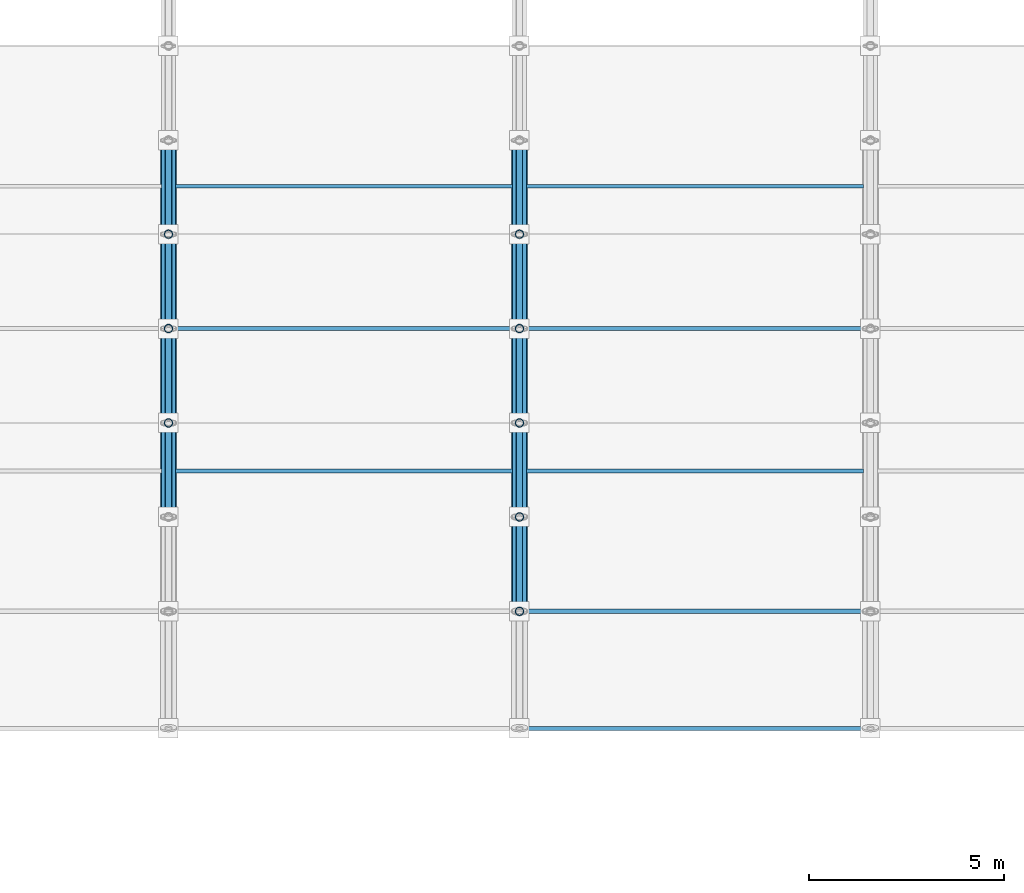
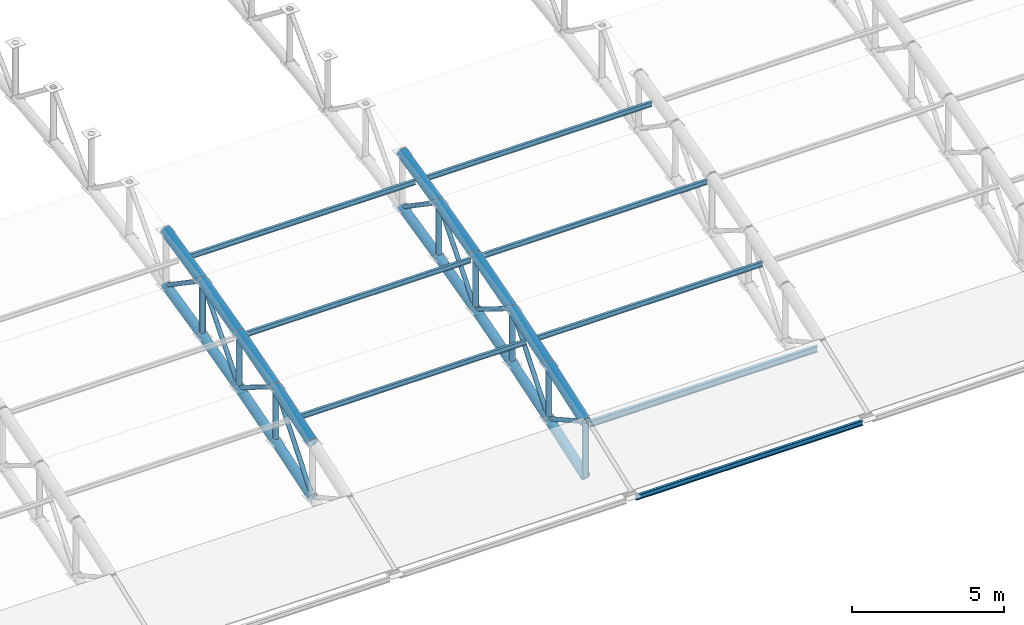
# One storey, part 16 of 195: 43 members.
"""IFC4 building model written with IfcOpenShell, lengths in metres."""

import ifcopenshell
import ifcopenshell.guid

model = None  # the IFC model being written
_history = None  # IfcOwnerHistory: only IFC2X3 demands one
_inside = {}  # id of a spatial element -> (the spatial element, [elements in it])
_under = {}  # id of a project, library or spatial element -> (it, [spatial elements below it])
_declared = {}  # id of a project -> (the project, [libraries it declares])
_typed = {}  # id of a type object -> (the type object, [elements of that type])
_made_of = {}  # id of a material, layer set ... -> (it, [elements and type objects made of it])


def new_model(schema):
    """Start an empty IFC model of exactly this schema.

    Asked for "IFC4X3", IfcOpenShell would pick the latest addendum, in which some entities
    have other attributes; the version numbers below select the first issue.
    IFC2X3 requires an IfcOwnerHistory on every rooted entity: one is made here for all.
    """
    global model, _history
    if schema == "IFC4X3":
        model = ifcopenshell.file(schema_version=(4, 3, 0, 0))
    else:
        model = ifcopenshell.file(schema=schema)
    _inside.clear()
    _under.clear()
    _declared.clear()
    _typed.clear()
    _made_of.clear()
    _history = None
    if model.schema == "IFC2X3":
        org = make("IfcOrganization", Name="unknown")
        user = make(
            "IfcPersonAndOrganization",
            ThePerson=make("IfcPerson", FamilyName="unknown"),
            TheOrganization=org,
        )
        app = make(
            "IfcApplication",
            ApplicationDeveloper=org,
            Version="unknown",
            ApplicationFullName="unknown",
            ApplicationIdentifier="unknown",
        )
        _history = make(
            "IfcOwnerHistory",
            OwningUser=user,
            OwningApplication=app,
            ChangeAction="ADDED",
            CreationDate=0,
        )
    return model


def make(cls, **values):
    """One entity of the class cls with the attributes given. An attribute that is None is left unset."""
    return model.create_entity(
        cls, **{name: value for name, value in values.items() if value is not None}
    )


def rooted(cls, **values):
    """An entity with a GlobalId (a new one), such as an element, a storey or a relation."""
    return make(cls, GlobalId=ifcopenshell.guid.new(), OwnerHistory=_history, **values)


def si_unit(unit_type, name, prefix=None):
    """IfcSIUnit, for example si_unit("LENGTHUNIT", "METRE", prefix="MILLI")."""
    return make("IfcSIUnit", UnitType=unit_type, Prefix=prefix, Name=name)


def assignment(units):
    """IfcUnitAssignment: the units of a project."""
    return None if units is None else make("IfcUnitAssignment", Units=units)


def point(xyz):
    """IfcCartesianPoint."""
    return None if xyz is None else make("IfcCartesianPoint", Coordinates=xyz)


def direction(xyz):
    """IfcDirection."""
    return None if xyz is None else make("IfcDirection", DirectionRatios=xyz)


def frame(location, z_axis=None, x_axis=None):
    """IfcAxis2Placement3D, a coordinate frame: its origin and axes. An axis left out is left unset."""
    return make(
        "IfcAxis2Placement3D",
        Location=point(location),
        Axis=direction(z_axis),
        RefDirection=direction(x_axis),
    )


def frame_2d(location, x_axis=None):
    """IfcAxis2Placement2D, a coordinate frame in the plane: its origin and x axis."""
    return make(
        "IfcAxis2Placement2D", Location=point(location), RefDirection=direction(x_axis)
    )


def origin():
    """The frame at (0, 0, 0) with its axes left unset."""
    return frame((0.0, 0.0, 0.0))


def origin_2d():
    """The frame at (0, 0) in the plane with its x axis left unset."""
    return frame_2d((0.0, 0.0))


def place(relative_to, where):
    """IfcLocalPlacement: puts the frame where relative to a parent placement (None: the world)."""
    return make(
        "IfcLocalPlacement", PlacementRelTo=relative_to, RelativePlacement=where
    )


def context(
    kind, dimensions, precision=None, world=None, true_north=None, identifier=None
):
    """IfcGeometricRepresentationContext, for example the 3D "Model" context."""
    return make(
        "IfcGeometricRepresentationContext",
        ContextIdentifier=identifier,
        ContextType=kind,
        CoordinateSpaceDimension=dimensions,
        Precision=precision,
        WorldCoordinateSystem=world,
        TrueNorth=true_north,
    )


def subcontext(parent, identifier, kind, view, scale=None):
    """IfcGeometricRepresentationSubContext, for example "Body" below "Model"."""
    return make(
        "IfcGeometricRepresentationSubContext",
        ContextIdentifier=identifier,
        ContextType=kind,
        ParentContext=parent,
        TargetScale=scale,
        TargetView=view,
    )


def project(units=None, contexts=None):
    """IfcProject with its units and contexts."""
    return rooted(
        "IfcProject",
        Name="project",
        RepresentationContexts=contexts,
        UnitsInContext=assignment(units),
    )


def spatial(cls, under=None, at=None, **own):
    """A site, building, storey or space (cls), placed at a placement, below another one or the project."""
    s = rooted(cls, ObjectPlacement=at, **own)
    if under is not None:
        _under.setdefault(under.id(), (under, []))[1].append(s)
    return s


def profile(cls, at=None, kind="AREA", **sizes):
    """A parametric profile (cls). Its sizes go by their IFC names, for example OverallWidth=200.0."""
    return make(cls, ProfileType=kind, Position=at, **sizes)


def hollow_circle(**sizes):
    """IfcCircleHollowProfileDef."""
    return profile("IfcCircleHollowProfileDef", **sizes)


def i_section(**sizes):
    """IfcIShapeProfileDef."""
    return profile("IfcIShapeProfileDef", **sizes)


def extrude(swept, where, along, depth):
    """IfcExtrudedAreaSolid: the profile swept, set in the frame where, extruded along a direction by depth."""
    return make(
        "IfcExtrudedAreaSolid",
        SweptArea=swept,
        Position=where,
        ExtrudedDirection=direction(along),
        Depth=depth,
    )


def shape(context_of_items, identifier, shape_type, items):
    """IfcShapeRepresentation: the items that make up one representation, for example the "Body"."""
    return make(
        "IfcShapeRepresentation",
        ContextOfItems=context_of_items,
        RepresentationIdentifier=identifier,
        RepresentationType=shape_type,
        Items=items,
    )


def material(Name=None, Category=None):
    """IfcMaterial."""
    return make("IfcMaterial", Name=Name, Category=Category)


def material_profile(
    of_material, cross_section, Name=None, Category=None, Priority=None
):
    """IfcMaterialProfile: a cross section and its material."""
    return make(
        "IfcMaterialProfile",
        Name=Name,
        Material=of_material,
        Profile=cross_section,
        Priority=Priority,
        Category=Category,
    )


def profile_set(profiles, Name=None, composite=None):
    """IfcMaterialProfileSet."""
    return make(
        "IfcMaterialProfileSet",
        Name=Name,
        MaterialProfiles=profiles,
        CompositeProfile=composite,
    )


def made_of(thing, what):
    """Note that an element or type object is made of a material, layer set ...; save() writes the relation."""
    if what is not None:
        _made_of.setdefault(what.id(), (what, []))[1].append(thing)
    return thing


def type_object(cls, material=None, **own):
    """A type object (cls), such as IfcWallType, which elements share."""
    return made_of(rooted(cls, **own), material)


def element(
    cls,
    number,
    at=None,
    inside=None,
    cuts=None,
    type_object=None,
    material=None,
    context=None,
    identifier="Body",
    shape_type=None,
    held_by="IfcProductDefinitionShape",
    body=None,
    shapes=None,
    **own,
):
    """One element of the class cls, such as IfcWall. Its Tag is "e" and its number.

    at: its placement. inside: the storey or other place that contains it. cuts: it is an
    opening in that element (IfcRelVoidsElement). A single representation is given by context,
    identifier, shape_type and body (its items); several are given by shapes. held_by: the class
    of the entity that holds the representations. save() writes the other relations.
    """
    e = rooted(cls, Tag="e%d" % number, ObjectPlacement=at, **own)
    if body is not None:
        shapes = [shape(context, identifier, shape_type, body)]
    if shapes is not None:
        e.Representation = make(held_by, Representations=shapes)
    if inside is not None:
        _inside.setdefault(inside.id(), (inside, []))[1].append(e)
    if cuts is not None:
        rooted(
            "IfcRelVoidsElement", RelatingBuildingElement=cuts, RelatedOpeningElement=e
        )
    if type_object is not None:
        _typed.setdefault(type_object.id(), (type_object, []))[1].append(e)
    return made_of(e, material)


def aggregate(whole, parts):
    """IfcRelAggregates: a whole, such as a stair, and the parts it consists of."""
    return rooted("IfcRelAggregates", RelatingObject=whole, RelatedObjects=parts)


def save(model, path):
    """Write the relations noted so far, then the file.

    IfcRelAggregates (storeys below a building ...), IfcRelContainedInSpatialStructure (elements
    in a storey), IfcRelDefinesByType, IfcRelAssociatesMaterial and IfcRelDeclares: one each for
    every whole, place, type object, material and project.
    """
    for whole, parts in _under.values():
        aggregate(whole, parts)
    for where, things in _inside.values():
        rooted(
            "IfcRelContainedInSpatialStructure",
            RelatedElements=things,
            RelatingStructure=where,
        )
    for kind, things in _typed.values():
        rooted("IfcRelDefinesByType", RelatedObjects=things, RelatingType=kind)
    for what, things in _made_of.values():
        rooted("IfcRelAssociatesMaterial", RelatedObjects=things, RelatingMaterial=what)
    for by, libraries in _declared.values():
        rooted("IfcRelDeclares", RelatingContext=by, RelatedDefinitions=libraries)
    model.write(path)


model = new_model("IFC4")

# Units and contexts
model_context = context("Model", 3, precision=1e-05, world=origin(), true_north=direction((0.0, 1.0)))
body_context = subcontext(model_context, "Body", "Model", "MODEL_VIEW")
ifc_project = project(units=[si_unit("LENGTHUNIT", "METRE"), si_unit("AREAUNIT", "SQUARE_METRE"), si_unit("VOLUMEUNIT", "CUBIC_METRE"), si_unit("PLANEANGLEUNIT", "RADIAN"), si_unit("MASSUNIT", "GRAM", prefix="KILO")], contexts=[model_context])

# Site, building, storey
site_placement = place(None, origin())
site = spatial("IfcSite", under=ifc_project, at=site_placement, CompositionType="ELEMENT")
building_placement = place(site_placement, origin())
building = spatial("IfcBuilding", under=site, at=building_placement, Name="Marlcrest Central Station", CompositionType="ELEMENT")
storey_placement = place(building_placement, frame((0.0, 0.0, 9.800048828125)))
storey = spatial("IfcBuildingStorey", under=building, at=storey_placement, Name="L02", CompositionType="ELEMENT", Elevation=9.800048828125)

# Members
ifc_material = material(Name="Steel S355", Category="steel")
ifc_material_profile_1 = material_profile(ifc_material, hollow_circle(Radius=0.203125, WallThickness=0.02001953125, at=origin_2d()), Name="CHS 406.4x20")
ifc_profile_set_1 = profile_set([ifc_material_profile_1], Name="Steel S355")
member_type_1 = type_object("IfcMemberType", Name="AC-01", PredefinedType="CHORD", material=ifc_profile_set_1)
member_1_placement = place(storey_placement, frame((18.0, 38.919921875, 2.449462890625), z_axis=(0.0, 0.952116828449, 0.305734435391), x_axis=(-1.0, 0.0, 0.0)))
element("IfcMember", 1, at=member_1_placement, inside=storey, type_object=member_type_1, Name="mem-AC-01-L02-00299", PredefinedType="CHORD", context=body_context, shape_type="SweptSolid", body=[
    extrude(hollow_circle(Radius=0.203125, WallThickness=0.02001953125, at=origin_2d()), origin(), (0.0, 0.0, 1.0), 2.53125),
])
member_2_placement = place(storey_placement, frame((18.0, 41.330078125, 3.223388671875), z_axis=(0.0, 0.960130083362, 0.27955361386), x_axis=(-1.0, 0.0, 0.0)))
element("IfcMember", 2, at=member_2_placement, inside=storey, type_object=member_type_1, Name="mem-AC-01-L02-00303", PredefinedType="CHORD", context=body_context, shape_type="SweptSolid", body=[
    extrude(hollow_circle(Radius=0.203125, WallThickness=0.02001953125, at=origin_2d()), origin(), (0.0, 0.0, 1.0), 2.5205078125),
])
member_3_placement = place(storey_placement, frame((18.0, 43.75, 3.927978515625), z_axis=(0.0, 0.967539481681, 0.252719906989), x_axis=(-1.0, 0.0, 0.0)))
element("IfcMember", 3, at=member_3_placement, inside=storey, type_object=member_type_1, Name="mem-AC-01-L02-00307", PredefinedType="CHORD", context=body_context, shape_type="SweptSolid", body=[
    extrude(hollow_circle(Radius=0.203125, WallThickness=0.02001953125, at=origin_2d()), origin(), (0.0, 0.0, 1.0), 2.501220703125),
])
member_4_placement = place(storey_placement, frame((18.0, 46.169921875, 4.56005859375), z_axis=(0.0, 0.974329612642, 0.225126200004), x_axis=(-1.0, 0.0, 0.0)))
element("IfcMember", 4, at=member_4_placement, inside=storey, type_object=member_type_1, Name="mem-AC-01-L02-00311", PredefinedType="CHORD", context=body_context, shape_type="SweptSolid", body=[
    extrude(hollow_circle(Radius=0.203125, WallThickness=0.02001953125, at=origin_2d()), origin(), (0.0, 0.0, 1.0), 2.4736328125),
])
member_5_placement = place(storey_placement, frame((27.0, 36.5, 1.599853515625), z_axis=(0.0, 0.94353735649, 0.331266142109), x_axis=(-1.0, 0.0, 0.0)))
element("IfcMember", 5, at=member_5_placement, inside=storey, type_object=member_type_1, Name="mem-AC-01-L02-00411", PredefinedType="CHORD", context=body_context, shape_type="SweptSolid", body=[
    extrude(hollow_circle(Radius=0.203125, WallThickness=0.02001953125, at=origin_2d()), origin(), (0.0, 0.0, 1.0), 2.564697265625),
])
member_6_placement = place(storey_placement, frame((27.0, 38.919921875, 2.449462890625), z_axis=(0.0, 0.952116828449, 0.305734435391), x_axis=(-1.0, 0.0, 0.0)))
element("IfcMember", 6, at=member_6_placement, inside=storey, type_object=member_type_1, Name="mem-AC-01-L02-00415", PredefinedType="CHORD", context=body_context, shape_type="SweptSolid", body=[
    extrude(hollow_circle(Radius=0.203125, WallThickness=0.02001953125, at=origin_2d()), origin(), (0.0, 0.0, 1.0), 2.53125),
])
member_7_placement = place(storey_placement, frame((27.0, 41.330078125, 3.223388671875), z_axis=(0.0, 0.960130083362, 0.27955361386), x_axis=(-1.0, 0.0, 0.0)))
element("IfcMember", 7, at=member_7_placement, inside=storey, type_object=member_type_1, Name="mem-AC-01-L02-00419", PredefinedType="CHORD", context=body_context, shape_type="SweptSolid", body=[
    extrude(hollow_circle(Radius=0.203125, WallThickness=0.02001953125, at=origin_2d()), origin(), (0.0, 0.0, 1.0), 2.5205078125),
])
member_8_placement = place(storey_placement, frame((27.0, 43.75, 3.927978515625), z_axis=(0.0, 0.967539481681, 0.252719906989), x_axis=(-1.0, 0.0, 0.0)))
element("IfcMember", 8, at=member_8_placement, inside=storey, type_object=member_type_1, Name="mem-AC-01-L02-00423", PredefinedType="CHORD", context=body_context, shape_type="SweptSolid", body=[
    extrude(hollow_circle(Radius=0.203125, WallThickness=0.02001953125, at=origin_2d()), origin(), (0.0, 0.0, 1.0), 2.501220703125),
])
member_9_placement = place(storey_placement, frame((27.0, 46.169921875, 4.56005859375), z_axis=(0.0, 0.974329612642, 0.225126200004), x_axis=(-1.0, 0.0, 0.0)))
element("IfcMember", 9, at=member_9_placement, inside=storey, type_object=member_type_1, Name="mem-AC-01-L02-00427", PredefinedType="CHORD", context=body_context, shape_type="SweptSolid", body=[
    extrude(hollow_circle(Radius=0.203125, WallThickness=0.02001953125, at=origin_2d()), origin(), (0.0, 0.0, 1.0), 2.4736328125),
])
ifc_material_profile_2 = material_profile(ifc_material, hollow_circle(Radius=0.177734375, WallThickness=0.01611328125, at=origin_2d()), Name="CHS 355.6x16")
ifc_profile_set_2 = profile_set([ifc_material_profile_2], Name="Steel S355")
member_type_2 = type_object("IfcMemberType", Name="AC-02", PredefinedType="CHORD", material=ifc_profile_set_2)
member_10_placement = place(storey_placement, frame((18.0, 38.919921875, 0.24951171875), z_axis=(0.0, 0.952116828449, 0.305734435391), x_axis=(-1.0, 0.0, 0.0)))
element("IfcMember", 10, at=member_10_placement, inside=storey, type_object=member_type_2, Name="mem-AC-02-L02-00300", PredefinedType="CHORD", context=body_context, shape_type="SweptSolid", body=[
    extrude(hollow_circle(Radius=0.177734375, WallThickness=0.01611328125, at=origin_2d()), origin(), (0.0, 0.0, 1.0), 2.53125),
])
member_11_placement = place(storey_placement, frame((18.0, 41.330078125, 1.0234375), z_axis=(0.0, 0.960130083362, 0.27955361386), x_axis=(-1.0, 0.0, 0.0)))
element("IfcMember", 11, at=member_11_placement, inside=storey, type_object=member_type_2, Name="mem-AC-02-L02-00304", PredefinedType="CHORD", context=body_context, shape_type="SweptSolid", body=[
    extrude(hollow_circle(Radius=0.177734375, WallThickness=0.01611328125, at=origin_2d()), origin(), (0.0, 0.0, 1.0), 2.5205078125),
])
member_12_placement = place(storey_placement, frame((18.0, 43.75, 1.72802734375), z_axis=(0.0, 0.967563345928, 0.252628524946), x_axis=(-1.0, 0.0, 0.0)))
element("IfcMember", 12, at=member_12_placement, inside=storey, type_object=member_type_2, Name="mem-AC-02-L02-00308", PredefinedType="CHORD", context=body_context, shape_type="SweptSolid", body=[
    extrude(hollow_circle(Radius=0.177734375, WallThickness=0.01611328125, at=origin_2d()), origin(), (0.0, 0.0, 1.0), 2.5009765625),
])
member_13_placement = place(storey_placement, frame((18.0, 46.169921875, 2.35986328125), z_axis=(0.0, 0.974307959875, 0.225219891049), x_axis=(-1.0, 0.0, 0.0)))
element("IfcMember", 13, at=member_13_placement, inside=storey, type_object=member_type_2, Name="mem-AC-02-L02-00312", PredefinedType="CHORD", context=body_context, shape_type="SweptSolid", body=[
    extrude(hollow_circle(Radius=0.177734375, WallThickness=0.01611328125, at=origin_2d()), origin(), (0.0, 0.0, 1.0), 2.4736328125),
])
member_14_placement = place(storey_placement, frame((27.0, 36.5, -0.60009765625), z_axis=(0.0, 0.94353735649, 0.331266142109), x_axis=(-1.0, 0.0, 0.0)))
element("IfcMember", 14, at=member_14_placement, inside=storey, type_object=member_type_2, Name="mem-AC-02-L02-00412", PredefinedType="CHORD", context=body_context, shape_type="SweptSolid", body=[
    extrude(hollow_circle(Radius=0.177734375, WallThickness=0.01611328125, at=origin_2d()), origin(), (0.0, 0.0, 1.0), 2.564697265625),
])
member_15_placement = place(storey_placement, frame((27.0, 38.919921875, 0.24951171875), z_axis=(0.0, 0.952116828449, 0.305734435391), x_axis=(-1.0, 0.0, 0.0)))
element("IfcMember", 15, at=member_15_placement, inside=storey, type_object=member_type_2, Name="mem-AC-02-L02-00416", PredefinedType="CHORD", context=body_context, shape_type="SweptSolid", body=[
    extrude(hollow_circle(Radius=0.177734375, WallThickness=0.01611328125, at=origin_2d()), origin(), (0.0, 0.0, 1.0), 2.53125),
])
member_16_placement = place(storey_placement, frame((27.0, 41.330078125, 1.0234375), z_axis=(0.0, 0.960130083362, 0.27955361386), x_axis=(-1.0, 0.0, 0.0)))
element("IfcMember", 16, at=member_16_placement, inside=storey, type_object=member_type_2, Name="mem-AC-02-L02-00420", PredefinedType="CHORD", context=body_context, shape_type="SweptSolid", body=[
    extrude(hollow_circle(Radius=0.177734375, WallThickness=0.01611328125, at=origin_2d()), origin(), (0.0, 0.0, 1.0), 2.5205078125),
])
member_17_placement = place(storey_placement, frame((27.0, 43.75, 1.72802734375), z_axis=(0.0, 0.967563345928, 0.252628524946), x_axis=(-1.0, 0.0, 0.0)))
element("IfcMember", 17, at=member_17_placement, inside=storey, type_object=member_type_2, Name="mem-AC-02-L02-00424", PredefinedType="CHORD", context=body_context, shape_type="SweptSolid", body=[
    extrude(hollow_circle(Radius=0.177734375, WallThickness=0.01611328125, at=origin_2d()), origin(), (0.0, 0.0, 1.0), 2.5009765625),
])
member_18_placement = place(storey_placement, frame((27.0, 46.169921875, 2.35986328125), z_axis=(0.0, 0.974307959875, 0.225219891049), x_axis=(-1.0, 0.0, 0.0)))
element("IfcMember", 18, at=member_18_placement, inside=storey, type_object=member_type_2, Name="mem-AC-02-L02-00428", PredefinedType="CHORD", context=body_context, shape_type="SweptSolid", body=[
    extrude(hollow_circle(Radius=0.177734375, WallThickness=0.01611328125, at=origin_2d()), origin(), (0.0, 0.0, 1.0), 2.4736328125),
])
ifc_material_profile_3 = material_profile(ifc_material, hollow_circle(Radius=0.084228515625, WallThickness=0.010009765625, at=origin_2d()), Name="CHS 168.3x10")
ifc_profile_set_3 = profile_set([ifc_material_profile_3], Name="Steel S355")
member_type_3 = type_object("IfcMemberType", Name="AD-01", PredefinedType="BRACE", material=ifc_profile_set_3)
member_19_placement = place(storey_placement, frame((18.0, 38.919921875, 0.24951171875), z_axis=(0.0, 0.62962929743, 0.776895712318), x_axis=(-1.0, 0.0, 0.0)))
element("IfcMember", 19, at=member_19_placement, inside=storey, type_object=member_type_3, Name="mem-AD-01-L02-00302", PredefinedType="BRACE", context=body_context, shape_type="SweptSolid", body=[
    extrude(hollow_circle(Radius=0.084228515625, WallThickness=0.010009765625, at=origin_2d()), origin(), (0.0, 0.0, 1.0), 3.827880859375),
])
member_20_placement = place(storey_placement, frame((18.0, 41.330078125, 3.223388671875), z_axis=(0.0, 0.850687380038, -0.525671933286), x_axis=(-1.0, 0.0, 0.0)))
element("IfcMember", 20, at=member_20_placement, inside=storey, type_object=member_type_3, Name="mem-AD-01-L02-00306", PredefinedType="BRACE", context=body_context, shape_type="SweptSolid", body=[
    extrude(hollow_circle(Radius=0.084228515625, WallThickness=0.010009765625, at=origin_2d()), origin(), (0.0, 0.0, 1.0), 2.8447265625),
])
member_21_placement = place(storey_placement, frame((18.0, 43.75, 1.72802734375), z_axis=(0.0, 0.649624779144, 0.760254987699), x_axis=(-1.0, 0.0, 0.0)))
element("IfcMember", 21, at=member_21_placement, inside=storey, type_object=member_type_3, Name="mem-AD-01-L02-00310", PredefinedType="BRACE", context=body_context, shape_type="SweptSolid", body=[
    extrude(hollow_circle(Radius=0.084228515625, WallThickness=0.010009765625, at=origin_2d()), origin(), (0.0, 0.0, 1.0), 3.72509765625),
])
member_22_placement = place(storey_placement, frame((18.0, 46.169921875, 4.56005859375), z_axis=(0.0, 0.82626275624, -0.563284881432), x_axis=(-1.0, 0.0, 0.0)))
element("IfcMember", 22, at=member_22_placement, inside=storey, type_object=member_type_3, Name="mem-AD-01-L02-00314", PredefinedType="BRACE", context=body_context, shape_type="SweptSolid", body=[
    extrude(hollow_circle(Radius=0.084228515625, WallThickness=0.010009765625, at=origin_2d()), origin(), (0.0, 0.0, 1.0), 2.9169921875),
])
member_23_placement = place(storey_placement, frame((27.0, 36.5, 1.599853515625), z_axis=(0.0, 0.873245653167, -0.487280236851), x_axis=(-1.0, 0.0, 0.0)))
element("IfcMember", 23, at=member_23_placement, inside=storey, type_object=member_type_3, Name="mem-AD-01-L02-00414", PredefinedType="BRACE", context=body_context, shape_type="SweptSolid", body=[
    extrude(hollow_circle(Radius=0.084228515625, WallThickness=0.010009765625, at=origin_2d()), origin(), (0.0, 0.0, 1.0), 2.771240234375),
])
member_24_placement = place(storey_placement, frame((27.0, 38.919921875, 0.24951171875), z_axis=(0.0, 0.62962929743, 0.776895712318), x_axis=(-1.0, 0.0, 0.0)))
element("IfcMember", 24, at=member_24_placement, inside=storey, type_object=member_type_3, Name="mem-AD-01-L02-00418", PredefinedType="BRACE", context=body_context, shape_type="SweptSolid", body=[
    extrude(hollow_circle(Radius=0.084228515625, WallThickness=0.010009765625, at=origin_2d()), origin(), (0.0, 0.0, 1.0), 3.827880859375),
])
member_25_placement = place(storey_placement, frame((27.0, 41.330078125, 3.223388671875), z_axis=(0.0, 0.850687380038, -0.525671933286), x_axis=(-1.0, 0.0, 0.0)))
element("IfcMember", 25, at=member_25_placement, inside=storey, type_object=member_type_3, Name="mem-AD-01-L02-00422", PredefinedType="BRACE", context=body_context, shape_type="SweptSolid", body=[
    extrude(hollow_circle(Radius=0.084228515625, WallThickness=0.010009765625, at=origin_2d()), origin(), (0.0, 0.0, 1.0), 2.8447265625),
])
member_26_placement = place(storey_placement, frame((27.0, 43.75, 1.72802734375), z_axis=(0.0, 0.649624779144, 0.760254987699), x_axis=(-1.0, 0.0, 0.0)))
element("IfcMember", 26, at=member_26_placement, inside=storey, type_object=member_type_3, Name="mem-AD-01-L02-00426", PredefinedType="BRACE", context=body_context, shape_type="SweptSolid", body=[
    extrude(hollow_circle(Radius=0.084228515625, WallThickness=0.010009765625, at=origin_2d()), origin(), (0.0, 0.0, 1.0), 3.72509765625),
])
member_27_placement = place(storey_placement, frame((27.0, 46.169921875, 4.56005859375), z_axis=(0.0, 0.82626275624, -0.563284881432), x_axis=(-1.0, 0.0, 0.0)))
element("IfcMember", 27, at=member_27_placement, inside=storey, type_object=member_type_3, Name="mem-AD-01-L02-00430", PredefinedType="BRACE", context=body_context, shape_type="SweptSolid", body=[
    extrude(hollow_circle(Radius=0.084228515625, WallThickness=0.010009765625, at=origin_2d()), origin(), (0.0, 0.0, 1.0), 2.9169921875),
])
ifc_material_profile_4 = material_profile(ifc_material, hollow_circle(Radius=0.109619140625, WallThickness=0.012451171875, at=origin_2d()), Name="CHS 219.1x12.5")
ifc_profile_set_4 = profile_set([ifc_material_profile_4], Name="Steel S355")
member_type_4 = type_object("IfcMemberType", Name="AP-01", PredefinedType="POST", material=ifc_profile_set_4)
for number, where, z_axis, x_axis, name in (
    (28, (18.0, 41.330078125, 1.0234375), (0.0, 0.0, 1.0), (1.0, 0.0, 0.0), "mem-AP-01-L02-00305"),
    (29, (18.0, 43.75, 1.72802734375), (0.0, 0.0, 1.0), (1.0, 0.0, 0.0), "mem-AP-01-L02-00309"),
):
    element("IfcMember", number, at=place(storey_placement, frame(where, z_axis=z_axis, x_axis=x_axis)), inside=storey, type_object=member_type_4, Name=name, PredefinedType="POST", context=body_context, shape_type="SweptSolid", body=[
        extrude(hollow_circle(Radius=0.109619140625, WallThickness=0.012451171875, at=origin_2d()), origin(), (0.0, 0.0, 1.0), 2.199951171875),
    ])
member_28_placement = place(storey_placement, frame((18.0, 46.169921875, 2.35986328125), z_axis=(0.0, 0.0, 1.0), x_axis=(1.0, 0.0, 0.0)))
element("IfcMember", 30, at=member_28_placement, inside=storey, type_object=member_type_4, Name="mem-AP-01-L02-00313", PredefinedType="POST", context=body_context, shape_type="SweptSolid", body=[
    extrude(hollow_circle(Radius=0.109619140625, WallThickness=0.012451171875, at=origin_2d()), origin(), (0.0, 0.0, 1.0), 2.2001953125),
])
for number, where, z_axis, x_axis, name in (
    (31, (27.0, 36.5, -0.60009765625), (0.0, 0.0, 1.0), (1.0, 0.0, 0.0), "mem-AP-01-L02-00413"),
    (32, (27.0, 38.919921875, 0.24951171875), (0.0, 0.0, 1.0), (1.0, 0.0, 0.0), "mem-AP-01-L02-00417"),
    (33, (27.0, 41.330078125, 1.0234375), (0.0, 0.0, 1.0), (1.0, 0.0, 0.0), "mem-AP-01-L02-00421"),
    (34, (27.0, 43.75, 1.72802734375), (0.0, 0.0, 1.0), (1.0, 0.0, 0.0), "mem-AP-01-L02-00425"),
):
    element("IfcMember", number, at=place(storey_placement, frame(where, z_axis=z_axis, x_axis=x_axis)), inside=storey, type_object=member_type_4, Name=name, PredefinedType="POST", context=body_context, shape_type="SweptSolid", body=[
        extrude(hollow_circle(Radius=0.109619140625, WallThickness=0.012451171875, at=origin_2d()), origin(), (0.0, 0.0, 1.0), 2.199951171875),
    ])
member_29_placement = place(storey_placement, frame((27.0, 46.169921875, 2.35986328125), z_axis=(0.0, 0.0, 1.0), x_axis=(1.0, 0.0, 0.0)))
element("IfcMember", 35, at=member_29_placement, inside=storey, type_object=member_type_4, Name="mem-AP-01-L02-00429", PredefinedType="POST", context=body_context, shape_type="SweptSolid", body=[
    extrude(hollow_circle(Radius=0.109619140625, WallThickness=0.012451171875, at=origin_2d()), origin(), (0.0, 0.0, 1.0), 2.2001953125),
])
ifc_material_profile_5 = material_profile(ifc_material, i_section(OverallWidth=0.10009765625, OverallDepth=0.199951171875, WebThickness=0.005615234375, FlangeThickness=0.008544921875, FilletRadius=0.011962890625, at=origin_2d()), Name="IPE 200")
ifc_profile_set_5 = profile_set([ifc_material_profile_5], Name="Steel S355")
member_type_5 = type_object("IfcMemberType", Name="PR-01", PredefinedType="PURLIN", material=ifc_profile_set_5)
for number, where, z_axis, x_axis, name in (
    (36, (18.179931640625, 40.10009765625, 2.697509765625), (1.0, 0.0, 0.0), (0.0, 1.0, 0.0), "mem-PR-01-L02-00396"),
    (37, (18.179931640625, 43.75, 3.7880859375), (1.0, 0.0, 0.0), (0.0, 1.0, 0.0), "mem-PR-01-L02-00397"),
    (38, (18.179931640625, 47.39990234375, 4.713134765625), (1.0, 0.0, 0.0), (0.0, 1.0, 0.0), "mem-PR-01-L02-00398"),
    (39, (27.179931640625, 33.5, 0.3056640625), (1.0, 0.0, 0.0), (0.0, 1.0, 0.0), "mem-PR-01-L02-00510"),
    (40, (27.179931640625, 40.10009765625, 2.697509765625), (1.0, 0.0, 0.0), (0.0, 1.0, 0.0), "mem-PR-01-L02-00512"),
    (41, (27.179931640625, 43.75, 3.7880859375), (1.0, 0.0, 0.0), (0.0, 1.0, 0.0), "mem-PR-01-L02-00513"),
    (42, (27.179931640625, 47.39990234375, 4.713134765625), (1.0, 0.0, 0.0), (0.0, 1.0, 0.0), "mem-PR-01-L02-00514"),
):
    element("IfcMember", number, at=place(storey_placement, frame(where, z_axis=z_axis, x_axis=x_axis)), inside=storey, type_object=member_type_5, Name=name, PredefinedType="PURLIN", context=body_context, shape_type="SweptSolid", body=[
        extrude(i_section(OverallWidth=0.10009765625, OverallDepth=0.199951171875, WebThickness=0.005615234375, FlangeThickness=0.008544921875, FilletRadius=0.011962890625, at=origin_2d()), origin(), (0.0, 0.0, 1.0), 8.64013671875),
    ])
ifc_material_profile_6 = material_profile(ifc_material, i_section(OverallWidth=0.1201171875, OverallDepth=0.239990234375, WebThickness=0.006103515625, FlangeThickness=0.009765625, FilletRadius=0.014892578125, at=origin_2d()), Name="IPE 240")
ifc_profile_set_6 = profile_set([ifc_material_profile_6], Name="Steel S355")
member_type_6 = type_object("IfcMemberType", Name="PR-02", PredefinedType="PURLIN", material=ifc_profile_set_6)
member_30_placement = place(storey_placement, frame((27.179931640625, 36.5, 1.4599609375), z_axis=(1.0, 0.0, 0.0), x_axis=(0.0, 1.0, 0.0)))
element("IfcMember", 43, at=member_30_placement, inside=storey, type_object=member_type_6, Name="mem-PR-02-L02-00511", PredefinedType="PURLIN", context=body_context, shape_type="SweptSolid", body=[
    extrude(i_section(OverallWidth=0.1201171875, OverallDepth=0.239990234375, WebThickness=0.006103515625, FlangeThickness=0.009765625, FilletRadius=0.014892578125, at=origin_2d()), origin(), (0.0, 0.0, 1.0), 8.64013671875),
])

save(model, "model.ifc")
